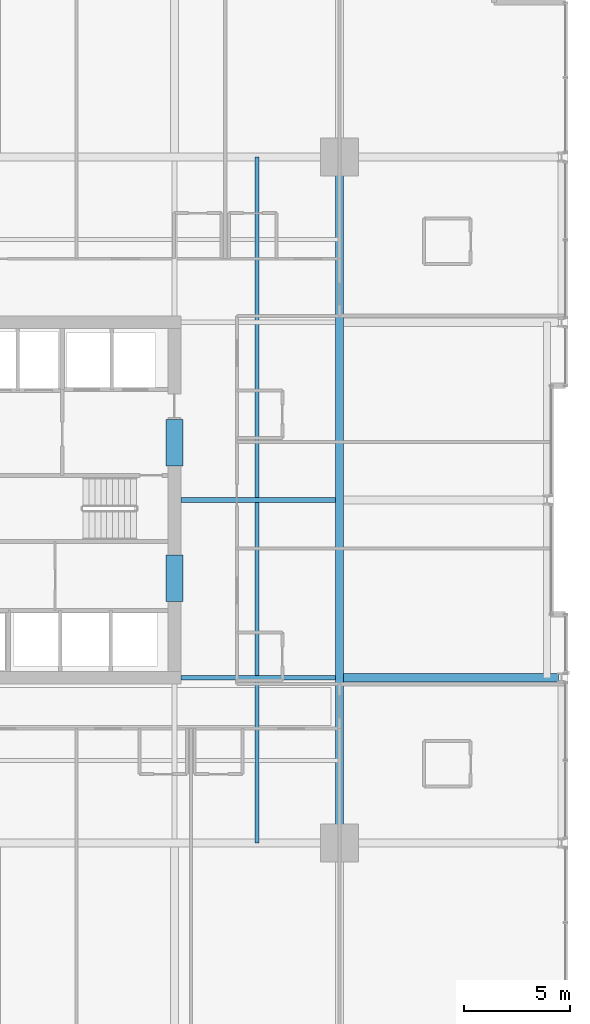
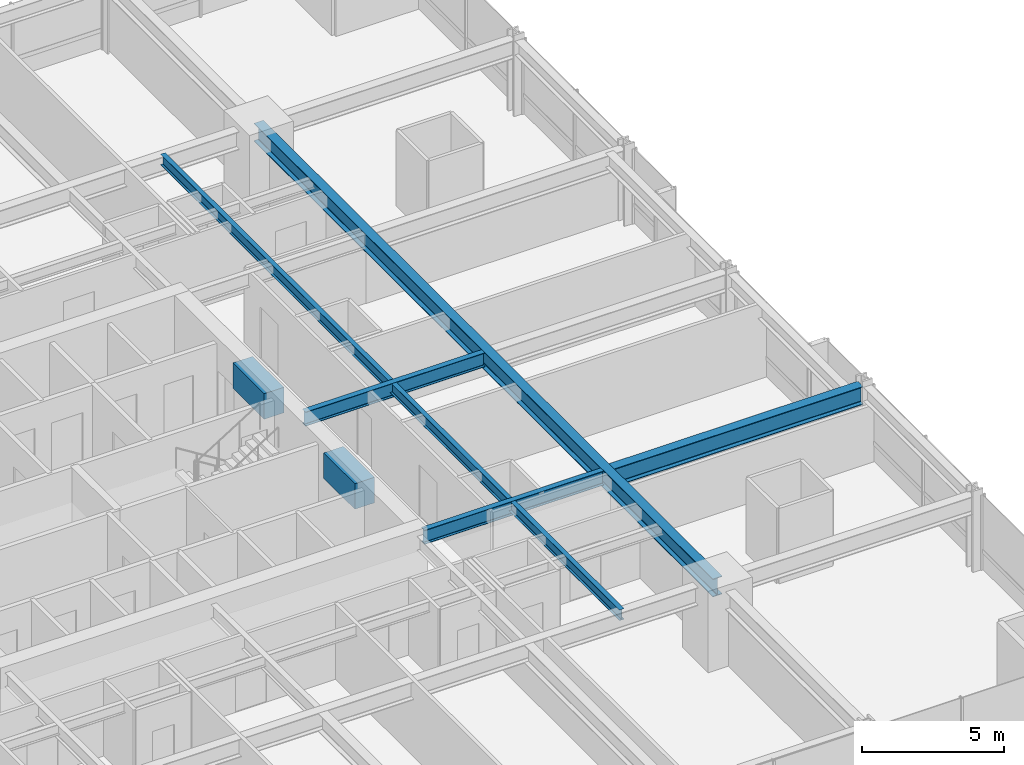
# One storey, part 15 of 38: 7 beams.
"""IFC4 building model written with IfcOpenShell, lengths in metres."""

from ifc_helpers import new_model, si_unit, direction, frame, origin, origin_2d, place, context, subcontext, project, spatial, rectangle, i_section, extrude, material, material_profile, profile_set, type_object, element, save


model = new_model("IFC4")

# Units and contexts
model_context = context("Model", 3, precision=1e-05, world=origin(), true_north=direction((0.0, 1.0)))
body_context = subcontext(model_context, "Body", "Model", "MODEL_VIEW")
ifc_project = project(units=[si_unit("LENGTHUNIT", "METRE"), si_unit("AREAUNIT", "SQUARE_METRE"), si_unit("VOLUMEUNIT", "CUBIC_METRE"), si_unit("PLANEANGLEUNIT", "RADIAN"), si_unit("MASSUNIT", "GRAM", prefix="KILO")], contexts=[model_context])

# Site, building, storey
site_placement = place(None, origin())
site = spatial("IfcSite", under=ifc_project, at=site_placement, CompositionType="ELEMENT")
building_placement = place(site_placement, origin())
building = spatial("IfcBuilding", under=site, at=building_placement, Name="Drelvath Grand Hotel", CompositionType="ELEMENT")
storey_placement = place(building_placement, frame((0.0, 0.0, 61.199951171875)))
storey = spatial("IfcBuildingStorey", under=building, at=storey_placement, Name="L14", CompositionType="ELEMENT", Elevation=61.199951171875)

# Beams
ifc_material_1 = material(Name="Steel ASTM A992 Gr 50", Category="steel")
ifc_material_profile_1 = material_profile(ifc_material_1, i_section(OverallWidth=0.19140625, OverallDepth=0.4599609375, WebThickness=0.010009765625, FlangeThickness=0.01611328125, FilletRadius=0.01611328125, at=origin_2d()), Name="W18X55")
ifc_profile_set_1 = profile_set([ifc_material_profile_1], Name="Steel ASTM A992 Gr 50")
beam_type_1 = type_object("IfcBeamType", Name="Composite Floor Joist W18X55", PredefinedType="JOIST", material=ifc_profile_set_1)
beam_1_placement = place(storey_placement, frame((12.300048828125, 10.800048828125, 3.010009765625), z_axis=(0.0, 1.0, 0.0), x_axis=(-1.0, 0.0, 0.0)))
element("IfcBeam", 1, at=beam_1_placement, inside=storey, type_object=beam_type_1, Name="L14 Wing Floor Joist J4", PredefinedType="JOIST", context=body_context, shape_type="SweptSolid", body=[
    extrude(i_section(OverallWidth=0.19140625, OverallDepth=0.4599609375, WebThickness=0.010009765625, FlangeThickness=0.01611328125, FilletRadius=0.01611328125, at=origin_2d()), origin(), (0.0, 0.0, 1.0), 32.39990234375),
])
ifc_material_2 = material(Name="Concrete f'c 70 MPa", Category="concrete")
ifc_material_profile_2 = material_profile(ifc_material_2, rectangle(XDim=0.800048828125, YDim=1.10009765625, at=origin_2d()), Name="CB800X1100")
ifc_profile_set_2 = profile_set([ifc_material_profile_2], Name="Concrete f'c 70 MPa")
beam_type_2 = type_object("IfcBeamType", Name="Core Coupling Lintel CB800X1100", PredefinedType="LINTEL", material=ifc_profile_set_2)
for number, where, z_axis, x_axis, name in (
    (2, (8.39990234375, 22.199951171875, 2.68994140625), (0.0, 1.0, 0.0), (-1.0, 0.0, 0.0), "L14 Core Coupling Lintel ES"),
    (3, (8.39990234375, 28.60009765625, 2.68994140625), (0.0, 1.0, 0.0), (-1.0, 0.0, 0.0), "L14 Core Coupling Lintel EN"),
):
    element("IfcBeam", number, at=place(storey_placement, frame(where, z_axis=z_axis, x_axis=x_axis)), inside=storey, type_object=beam_type_2, Name=name, PredefinedType="LINTEL", context=body_context, shape_type="SweptSolid", body=[
        extrude(rectangle(XDim=0.800048828125, YDim=1.10009765625, at=origin_2d()), origin(), (0.0, 0.0, 1.0), 2.199951171875),
    ])
ifc_material_profile_3 = material_profile(ifc_material_1, i_section(OverallWidth=0.228271484375, OverallDepth=0.607666015625, WebThickness=0.01123046875, FlangeThickness=0.017333984375, FilletRadius=0.02001953125, at=origin_2d()), Name="W24X76")
ifc_profile_set_3 = profile_set([ifc_material_profile_3], Name="Steel ASTM A992 Gr 50")
beam_type_3 = type_object("IfcBeamType", Name="Primary Floor Girder W24X76", PredefinedType="BEAM", material=ifc_profile_set_3)
for number, where, z_axis, x_axis, name in (
    (4, (8.699951171875, 18.60009765625, 2.936279296875), (1.0, 0.0, 0.0), (0.0, 1.0, 0.0), "L14 East Core Tie D"),
    (5, (8.699951171875, 27.0, 2.936279296875), (1.0, 0.0, 0.0), (0.0, 1.0, 0.0), "L14 East Core Tie E"),
):
    element("IfcBeam", number, at=place(storey_placement, frame(where, z_axis=z_axis, x_axis=x_axis)), inside=storey, type_object=beam_type_3, Name=name, PredefinedType="BEAM", context=body_context, shape_type="SweptSolid", body=[
        extrude(i_section(OverallWidth=0.228271484375, OverallDepth=0.607666015625, WebThickness=0.01123046875, FlangeThickness=0.017333984375, FilletRadius=0.02001953125, at=origin_2d()), origin(), (0.0, 0.0, 1.0), 7.309814453125),
    ])
ifc_material_profile_4 = material_profile(ifc_material_1, i_section(OverallWidth=0.380615234375, OverallDepth=0.773193359375, WebThickness=0.0166015625, FlangeThickness=0.027099609375, FilletRadius=0.02490234375, at=origin_2d()), Name="W30X173")
ifc_profile_set_4 = profile_set([ifc_material_profile_4], Name="Steel ASTM A992 Gr 50")
beam_type_4 = type_object("IfcBeamType", Name="Primary Floor Girder W30X173", PredefinedType="BEAM", material=ifc_profile_set_4)
beam_2_placement = place(storey_placement, frame((16.199951171875, 10.800048828125, 2.853515625), z_axis=(0.0, 1.0, 0.0), x_axis=(-1.0, 0.0, 0.0)))
element("IfcBeam", 6, at=beam_2_placement, inside=storey, type_object=beam_type_4, Name="L14 Mega Ring Girder East", PredefinedType="BEAM", context=body_context, shape_type="SweptSolid", body=[
    extrude(i_section(OverallWidth=0.380615234375, OverallDepth=0.773193359375, WebThickness=0.0166015625, FlangeThickness=0.027099609375, FilletRadius=0.02490234375, at=origin_2d()), origin(), (0.0, 0.0, 1.0), 32.39990234375),
])
beam_3_placement = place(storey_placement, frame((16.390380859375, 18.60009765625, 2.853515625), z_axis=(1.0, 0.0, 0.0), x_axis=(0.0, 1.0, 0.0)))
element("IfcBeam", 7, at=beam_3_placement, inside=storey, type_object=beam_type_4, Name="L14 East Wing Girder D", PredefinedType="BEAM", context=body_context, shape_type="SweptSolid", body=[
    extrude(i_section(OverallWidth=0.380615234375, OverallDepth=0.773193359375, WebThickness=0.0166015625, FlangeThickness=0.027099609375, FilletRadius=0.02490234375, at=origin_2d()), origin(), (0.0, 0.0, 1.0), 10.149658203125),
])

save(model, "model.ifc")
